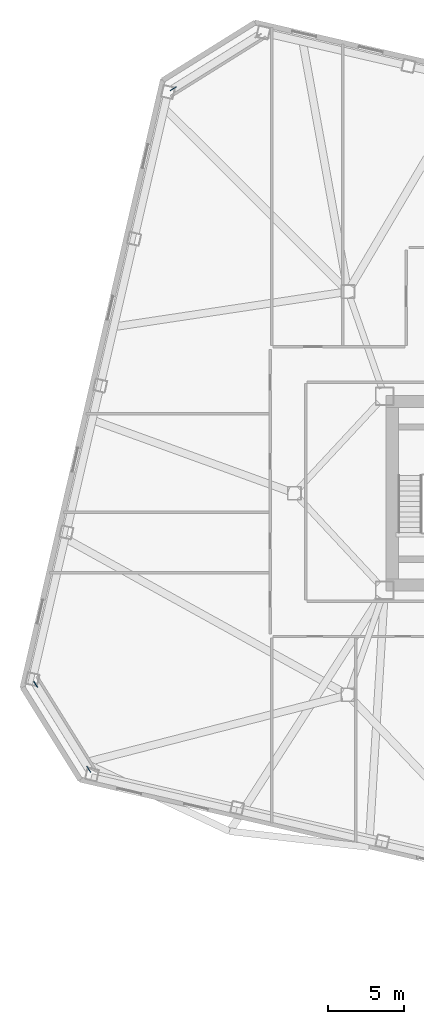
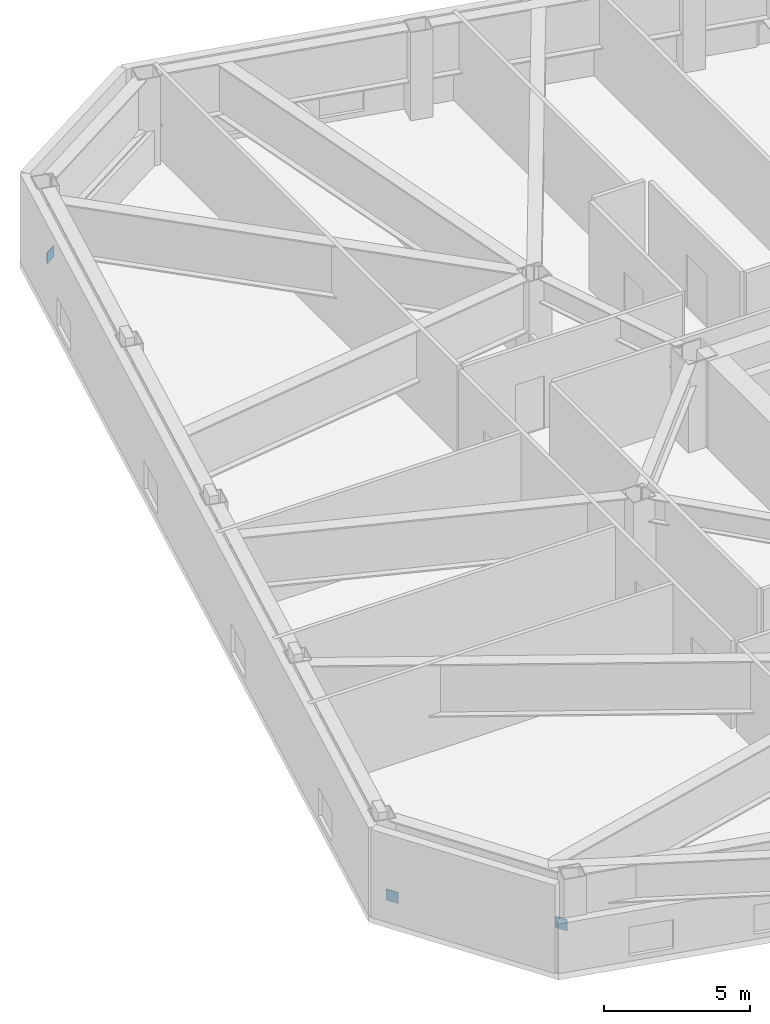
# One storey, part 15 of 19: 3 discrete accessories.
"""IFC4 building model written with IfcOpenShell, lengths in metres."""

from ifc_helpers import new_model, si_unit, direction, frame, origin, origin_2d, place, context, subcontext, project, spatial, rectangle, extrude, material, type_object, element, save


model = new_model("IFC4")

# Units and contexts
model_context = context("Model", 3, precision=1e-05, world=origin(), true_north=direction((0.0, 1.0)))
body_context = subcontext(model_context, "Body", "Model", "MODEL_VIEW")
ifc_project = project(units=[si_unit("LENGTHUNIT", "METRE"), si_unit("AREAUNIT", "SQUARE_METRE"), si_unit("VOLUMEUNIT", "CUBIC_METRE"), si_unit("PLANEANGLEUNIT", "RADIAN"), si_unit("MASSUNIT", "GRAM", prefix="KILO")], contexts=[model_context])

# Site, building, storey
site_placement = place(None, origin())
site = spatial("IfcSite", under=ifc_project, at=site_placement, CompositionType="ELEMENT")
building_placement = place(site_placement, origin())
building = spatial("IfcBuilding", under=site, at=building_placement, Name="Tavrogorsk Clinical Tower", CompositionType="ELEMENT")
storey_placement = place(building_placement, frame((0.0, 0.0, 79.39990234375)))
storey = spatial("IfcBuildingStorey", under=building, at=storey_placement, Name="L17", CompositionType="ELEMENT", Elevation=79.39990234375)

# Discrete accessories
ifc_material = material(Name="Structural steel S440", Category="steel")
discrete_accessory_type = type_object("IfcDiscreteAccessoryType", Name="GussetPlateBracket_25", PredefinedType="BRACKET", material=ifc_material)
for number, where, z_axis, x_axis, name in (
    (1, (-35.934326171875, 26.473388671875, 0.132080078125), (0.0, 0.0, 1.0), (0.848048096156, 0.529919264233, 0.0), "L17 Brace Gusset Plate EXOCRN-L17-3-A"),
    (2, (-44.9345703125, -12.511474609375, 0.132080078125), (0.0, 0.0, 1.0), (0.529919264233, -0.848048096156, 0.0), "L17 Brace Gusset Plate EXOCRN-L17-4-A"),
    (3, (-41.465087890625, -18.06396484375, 1.13818359375), (0.0, 0.0, 1.0), (0.529919264233, -0.848048096156, 0.0), "L17 Brace Gusset Plate EXOCRN-L17-4-B"),
):
    element("IfcDiscreteAccessory", number, at=place(storey_placement, frame(where, z_axis=z_axis, x_axis=x_axis)), inside=storey, type_object=discrete_accessory_type, Name=name, PredefinedType="BRACKET", context=body_context, shape_type="SweptSolid", body=[
        extrude(rectangle(XDim=0.4599609375, YDim=0.0400390625, at=origin_2d()), origin(), (0.0, 0.0, 1.0), 0.4599609375),
    ])

save(model, "model.ifc")
